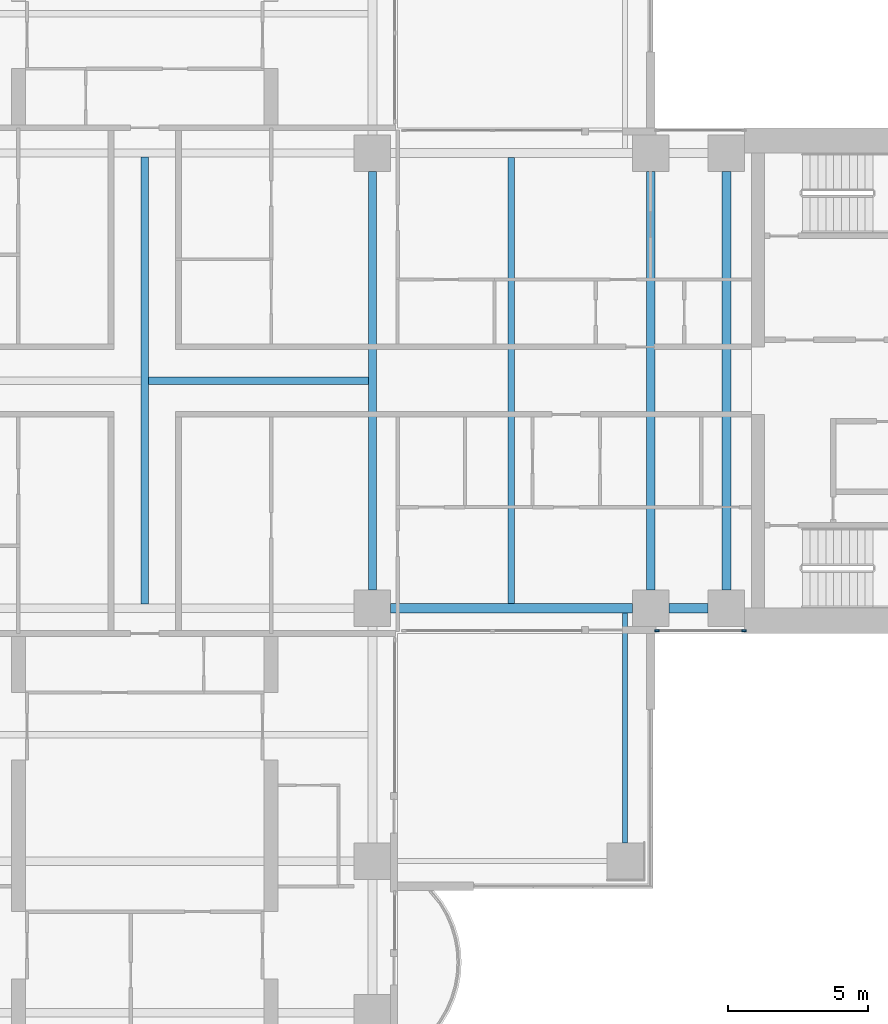
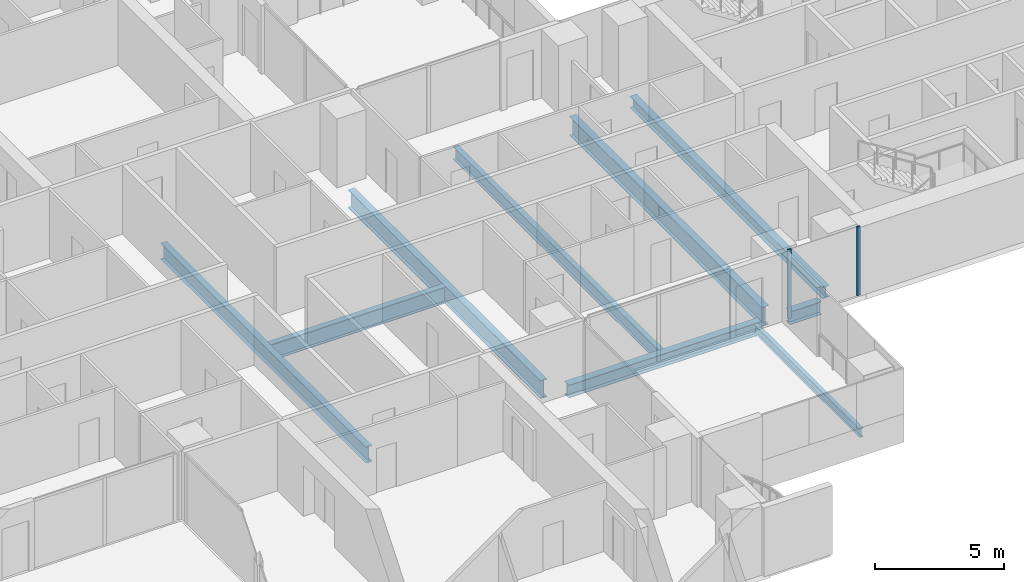
# One storey, part 4 of 20: 9 beams, 2 members, 1 element without a shape of its own.
"""IFC4 building model written with IfcOpenShell, lengths in metres."""

import ifcopenshell
import ifcopenshell.guid

model = None  # the IFC model being written
_history = None  # IfcOwnerHistory: only IFC2X3 demands one
_inside = {}  # id of a spatial element -> (the spatial element, [elements in it])
_under = {}  # id of a project, library or spatial element -> (it, [spatial elements below it])
_declared = {}  # id of a project -> (the project, [libraries it declares])
_typed = {}  # id of a type object -> (the type object, [elements of that type])
_made_of = {}  # id of a material, layer set ... -> (it, [elements and type objects made of it])


def new_model(schema):
    """Start an empty IFC model of exactly this schema.

    Asked for "IFC4X3", IfcOpenShell would pick the latest addendum, in which some entities
    have other attributes; the version numbers below select the first issue.
    IFC2X3 requires an IfcOwnerHistory on every rooted entity: one is made here for all.
    """
    global model, _history
    if schema == "IFC4X3":
        model = ifcopenshell.file(schema_version=(4, 3, 0, 0))
    else:
        model = ifcopenshell.file(schema=schema)
    _inside.clear()
    _under.clear()
    _declared.clear()
    _typed.clear()
    _made_of.clear()
    _history = None
    if model.schema == "IFC2X3":
        org = make("IfcOrganization", Name="unknown")
        user = make(
            "IfcPersonAndOrganization",
            ThePerson=make("IfcPerson", FamilyName="unknown"),
            TheOrganization=org,
        )
        app = make(
            "IfcApplication",
            ApplicationDeveloper=org,
            Version="unknown",
            ApplicationFullName="unknown",
            ApplicationIdentifier="unknown",
        )
        _history = make(
            "IfcOwnerHistory",
            OwningUser=user,
            OwningApplication=app,
            ChangeAction="ADDED",
            CreationDate=0,
        )
    return model


def make(cls, **values):
    """One entity of the class cls with the attributes given. An attribute that is None is left unset."""
    return model.create_entity(
        cls, **{name: value for name, value in values.items() if value is not None}
    )


def rooted(cls, **values):
    """An entity with a GlobalId (a new one), such as an element, a storey or a relation."""
    return make(cls, GlobalId=ifcopenshell.guid.new(), OwnerHistory=_history, **values)


def si_unit(unit_type, name, prefix=None):
    """IfcSIUnit, for example si_unit("LENGTHUNIT", "METRE", prefix="MILLI")."""
    return make("IfcSIUnit", UnitType=unit_type, Prefix=prefix, Name=name)


def assignment(units):
    """IfcUnitAssignment: the units of a project."""
    return None if units is None else make("IfcUnitAssignment", Units=units)


def point(xyz):
    """IfcCartesianPoint."""
    return None if xyz is None else make("IfcCartesianPoint", Coordinates=xyz)


def direction(xyz):
    """IfcDirection."""
    return None if xyz is None else make("IfcDirection", DirectionRatios=xyz)


def frame(location, z_axis=None, x_axis=None):
    """IfcAxis2Placement3D, a coordinate frame: its origin and axes. An axis left out is left unset."""
    return make(
        "IfcAxis2Placement3D",
        Location=point(location),
        Axis=direction(z_axis),
        RefDirection=direction(x_axis),
    )


def frame_2d(location, x_axis=None):
    """IfcAxis2Placement2D, a coordinate frame in the plane: its origin and x axis."""
    return make(
        "IfcAxis2Placement2D", Location=point(location), RefDirection=direction(x_axis)
    )


def origin():
    """The frame at (0, 0, 0) with its axes left unset."""
    return frame((0.0, 0.0, 0.0))


def origin_2d():
    """The frame at (0, 0) in the plane with its x axis left unset."""
    return frame_2d((0.0, 0.0))


def place(relative_to, where):
    """IfcLocalPlacement: puts the frame where relative to a parent placement (None: the world)."""
    return make(
        "IfcLocalPlacement", PlacementRelTo=relative_to, RelativePlacement=where
    )


def context(
    kind, dimensions, precision=None, world=None, true_north=None, identifier=None
):
    """IfcGeometricRepresentationContext, for example the 3D "Model" context."""
    return make(
        "IfcGeometricRepresentationContext",
        ContextIdentifier=identifier,
        ContextType=kind,
        CoordinateSpaceDimension=dimensions,
        Precision=precision,
        WorldCoordinateSystem=world,
        TrueNorth=true_north,
    )


def subcontext(parent, identifier, kind, view, scale=None):
    """IfcGeometricRepresentationSubContext, for example "Body" below "Model"."""
    return make(
        "IfcGeometricRepresentationSubContext",
        ContextIdentifier=identifier,
        ContextType=kind,
        ParentContext=parent,
        TargetScale=scale,
        TargetView=view,
    )


def project(units=None, contexts=None):
    """IfcProject with its units and contexts."""
    return rooted(
        "IfcProject",
        Name="project",
        RepresentationContexts=contexts,
        UnitsInContext=assignment(units),
    )


def spatial(cls, under=None, at=None, **own):
    """A site, building, storey or space (cls), placed at a placement, below another one or the project."""
    s = rooted(cls, ObjectPlacement=at, **own)
    if under is not None:
        _under.setdefault(under.id(), (under, []))[1].append(s)
    return s


def profile(cls, at=None, kind="AREA", **sizes):
    """A parametric profile (cls). Its sizes go by their IFC names, for example OverallWidth=200.0."""
    return make(cls, ProfileType=kind, Position=at, **sizes)


def rectangle(**sizes):
    """IfcRectangleProfileDef."""
    return profile("IfcRectangleProfileDef", **sizes)


def i_section(**sizes):
    """IfcIShapeProfileDef."""
    return profile("IfcIShapeProfileDef", **sizes)


def extrude(swept, where, along, depth):
    """IfcExtrudedAreaSolid: the profile swept, set in the frame where, extruded along a direction by depth."""
    return make(
        "IfcExtrudedAreaSolid",
        SweptArea=swept,
        Position=where,
        ExtrudedDirection=direction(along),
        Depth=depth,
    )


def shape(context_of_items, identifier, shape_type, items):
    """IfcShapeRepresentation: the items that make up one representation, for example the "Body"."""
    return make(
        "IfcShapeRepresentation",
        ContextOfItems=context_of_items,
        RepresentationIdentifier=identifier,
        RepresentationType=shape_type,
        Items=items,
    )


def material(Name=None, Category=None):
    """IfcMaterial."""
    return make("IfcMaterial", Name=Name, Category=Category)


def material_profile(
    of_material, cross_section, Name=None, Category=None, Priority=None
):
    """IfcMaterialProfile: a cross section and its material."""
    return make(
        "IfcMaterialProfile",
        Name=Name,
        Material=of_material,
        Profile=cross_section,
        Priority=Priority,
        Category=Category,
    )


def profile_set(profiles, Name=None, composite=None):
    """IfcMaterialProfileSet."""
    return make(
        "IfcMaterialProfileSet",
        Name=Name,
        MaterialProfiles=profiles,
        CompositeProfile=composite,
    )


def made_of(thing, what):
    """Note that an element or type object is made of a material, layer set ...; save() writes the relation."""
    if what is not None:
        _made_of.setdefault(what.id(), (what, []))[1].append(thing)
    return thing


def type_object(cls, material=None, **own):
    """A type object (cls), such as IfcWallType, which elements share."""
    return made_of(rooted(cls, **own), material)


def element(
    cls,
    number,
    at=None,
    inside=None,
    cuts=None,
    type_object=None,
    material=None,
    context=None,
    identifier="Body",
    shape_type=None,
    held_by="IfcProductDefinitionShape",
    body=None,
    shapes=None,
    **own,
):
    """One element of the class cls, such as IfcWall. Its Tag is "e" and its number.

    at: its placement. inside: the storey or other place that contains it. cuts: it is an
    opening in that element (IfcRelVoidsElement). A single representation is given by context,
    identifier, shape_type and body (its items); several are given by shapes. held_by: the class
    of the entity that holds the representations. save() writes the other relations.
    """
    e = rooted(cls, Tag="e%d" % number, ObjectPlacement=at, **own)
    if body is not None:
        shapes = [shape(context, identifier, shape_type, body)]
    if shapes is not None:
        e.Representation = make(held_by, Representations=shapes)
    if inside is not None:
        _inside.setdefault(inside.id(), (inside, []))[1].append(e)
    if cuts is not None:
        rooted(
            "IfcRelVoidsElement", RelatingBuildingElement=cuts, RelatedOpeningElement=e
        )
    if type_object is not None:
        _typed.setdefault(type_object.id(), (type_object, []))[1].append(e)
    return made_of(e, material)


def aggregate(whole, parts):
    """IfcRelAggregates: a whole, such as a stair, and the parts it consists of."""
    return rooted("IfcRelAggregates", RelatingObject=whole, RelatedObjects=parts)


def save(model, path):
    """Write the relations noted so far, then the file.

    IfcRelAggregates (storeys below a building ...), IfcRelContainedInSpatialStructure (elements
    in a storey), IfcRelDefinesByType, IfcRelAssociatesMaterial and IfcRelDeclares: one each for
    every whole, place, type object, material and project.
    """
    for whole, parts in _under.values():
        aggregate(whole, parts)
    for where, things in _inside.values():
        rooted(
            "IfcRelContainedInSpatialStructure",
            RelatedElements=things,
            RelatingStructure=where,
        )
    for kind, things in _typed.values():
        rooted("IfcRelDefinesByType", RelatedObjects=things, RelatingType=kind)
    for what, things in _made_of.values():
        rooted("IfcRelAssociatesMaterial", RelatedObjects=things, RelatingMaterial=what)
    for by, libraries in _declared.values():
        rooted("IfcRelDeclares", RelatingContext=by, RelatedDefinitions=libraries)
    model.write(path)


model = new_model("IFC4")

# Units and contexts
model_context = context("Model", 3, precision=1e-05, world=origin(), true_north=direction((0.0, 1.0)))
body_context = subcontext(model_context, "Body", "Model", "MODEL_VIEW")
ifc_project = project(units=[si_unit("LENGTHUNIT", "METRE"), si_unit("AREAUNIT", "SQUARE_METRE"), si_unit("VOLUMEUNIT", "CUBIC_METRE"), si_unit("PLANEANGLEUNIT", "RADIAN"), si_unit("MASSUNIT", "GRAM", prefix="KILO")], contexts=[model_context])

# Site, building, storey
site_placement = place(None, origin())
site = spatial("IfcSite", under=ifc_project, at=site_placement, CompositionType="ELEMENT")
building_placement = place(site_placement, origin())
building = spatial("IfcBuilding", under=site, at=building_placement, Name="Perihelion Cross Residences", CompositionType="ELEMENT")
storey_placement = place(building_placement, frame((0.0, 0.0, 71.5)))
storey = spatial("IfcBuildingStorey", under=building, at=storey_placement, Name="L15", CompositionType="ELEMENT", Elevation=71.5)

# Curtain wall, members
ifc_material_1 = material(Name="Bronze anodised aluminium, tinted glazing", Category="aluminium")
curtain_wall_type = type_object("IfcCurtainWallType", Name="CW1", PredefinedType="NOTDEFINED", material=ifc_material_1)
curtain_wall_placement = place(storey_placement, origin())
curtain_wall = element("IfcCurtainWall", 1, at=curtain_wall_placement, inside=storey, type_object=curtain_wall_type, Name="Curtain wall CW1 L15 east side south bay 2", PredefinedType="NOTDEFINED")
ifc_material_2 = material(Name="Bronze anodised aluminium", Category="aluminium")
ifc_material_profile_1 = material_profile(ifc_material_2, rectangle(XDim=0.06005859375, YDim=0.159912109375, at=origin_2d()), Name="CW1 mullion")
ifc_profile_set_1 = profile_set([ifc_material_profile_1], Name="Bronze anodised aluminium")
member_type = type_object("IfcMemberType", Name="CW1 mullion", PredefinedType="MULLION", material=ifc_profile_set_1)
member_1_placement = place(storey_placement, frame((18.22998046875, -8.89990234375, 0.0), z_axis=(0.0, 0.0, 1.0), x_axis=(0.0, 1.0, 0.0)))
member_1 = element("IfcMember", 2, at=member_1_placement, type_object=member_type, Name="CW1 mullion 1", PredefinedType="MULLION", context=body_context, shape_type="SweptSolid", body=[
    extrude(rectangle(XDim=0.06005859375, YDim=0.159912109375, at=origin_2d()), origin(), (0.0, 0.0, 1.0), 3.25),
])
member_2_placement = place(storey_placement, frame((21.320068359375, -8.89990234375, 0.0), z_axis=(0.0, 0.0, 1.0), x_axis=(0.0, 1.0, 0.0)))
member_2 = element("IfcMember", 3, at=member_2_placement, type_object=member_type, Name="CW1 mullion 2", PredefinedType="MULLION", context=body_context, shape_type="SweptSolid", body=[
    extrude(rectangle(XDim=0.06005859375, YDim=0.159912109375, at=origin_2d()), origin(), (0.0, 0.0, 1.0), 3.25),
])
aggregate(curtain_wall, [member_1, member_2])

# Beams
ifc_material_3 = material(Name="Steel S355", Category="steel")
ifc_material_profile_2 = material_profile(ifc_material_3, i_section(OverallWidth=0.177978515625, OverallDepth=0.406005859375, WebThickness=0.0078125, FlangeThickness=0.0126953125, at=origin_2d()), Name="W410x60")
ifc_profile_set_2 = profile_set([ifc_material_profile_2], Name="Steel S355")
beam_type_1 = type_object("IfcBeamType", Name="Core edge beam W410x60", PredefinedType="BEAM", material=ifc_profile_set_2)
beam_1_placement = place(storey_placement, frame((17.10009765625, -8.262451171875, -0.452880859375), z_axis=(0.0, -1.0, 0.0), x_axis=(1.0, 0.0, 0.0)))
element("IfcBeam", 4, at=beam_1_placement, inside=storey, type_object=beam_type_1, Name="Core edge beam TB2 L15 corner no. 5", PredefinedType="BEAM", context=body_context, shape_type="SweptSolid", body=[
    extrude(i_section(OverallWidth=0.177978515625, OverallDepth=0.406005859375, WebThickness=0.0078125, FlangeThickness=0.0126953125, at=origin_2d()), origin(), (0.0, 0.0, 1.0), 8.1875),
])
ifc_material_4 = material(Name="Steel S355", Category="steel")
ifc_material_profile_3 = material_profile(ifc_material_4, i_section(OverallWidth=0.31201171875, OverallDepth=0.5439453125, WebThickness=0.0126953125, FlangeThickness=0.020263671875, at=origin_2d()), Name="W530x150")
ifc_profile_set_3 = profile_set([ifc_material_profile_3], Name="Steel S355")
beam_type_2 = type_object("IfcBeamType", Name="Core edge beam W530x150", PredefinedType="BEAM", material=ifc_profile_set_3)
beam_2_placement = place(storey_placement, frame((20.699951171875, -7.449951171875, -0.52197265625), z_axis=(0.0, 1.0, 0.0), x_axis=(-1.0, 0.0, 0.0)))
element("IfcBeam", 5, at=beam_2_placement, inside=storey, type_object=beam_type_2, Name="Core edge beam TB4 L15 no. 2", PredefinedType="BEAM", context=body_context, shape_type="SweptSolid", body=[
    extrude(i_section(OverallWidth=0.31201171875, OverallDepth=0.5439453125, WebThickness=0.0126953125, FlangeThickness=0.020263671875, at=origin_2d()), origin(), (0.0, 0.0, 1.0), 14.89990234375),
])
ifc_material_5 = material(Name="Steel S355", Category="steel")
ifc_material_profile_4 = material_profile(ifc_material_5, i_section(OverallWidth=0.324951171875, OverallDepth=0.616943359375, WebThickness=0.013916015625, FlangeThickness=0.021484375, at=origin_2d()), Name="W610x174")
ifc_profile_set_4 = profile_set([ifc_material_profile_4], Name="Steel S355")
beam_type_3 = type_object("IfcBeamType", Name="Edge beam W610x174", PredefinedType="SPANDREL", material=ifc_profile_set_4)
beam_3_placement = place(storey_placement, frame((8.75, -8.10009765625, -0.55859375), z_axis=(1.0, 0.0, 0.0), x_axis=(0.0, 1.0, 0.0)))
element("IfcBeam", 6, at=beam_3_placement, inside=storey, type_object=beam_type_3, Name="Edge beam SB2 L15 no. 18", PredefinedType="SPANDREL", context=body_context, shape_type="SweptSolid", body=[
    extrude(i_section(OverallWidth=0.324951171875, OverallDepth=0.616943359375, WebThickness=0.013916015625, FlangeThickness=0.021484375, at=origin_2d()), origin(), (0.0, 0.0, 1.0), 8.60009765625),
])
beam_4_placement = place(storey_placement, frame((18.64990234375, -8.10009765625, -0.55859375), z_axis=(1.0, 0.0, 0.0), x_axis=(0.0, 1.0, 0.0)))
element("IfcBeam", 7, at=beam_4_placement, inside=storey, type_object=beam_type_3, Name="Edge beam SB2 L15 no. 12", PredefinedType="SPANDREL", context=body_context, shape_type="SweptSolid", body=[
    extrude(i_section(OverallWidth=0.324951171875, OverallDepth=0.616943359375, WebThickness=0.013916015625, FlangeThickness=0.021484375, at=origin_2d()), origin(), (0.0, 0.0, 1.0), 1.400146484375),
])
ifc_material_6 = material(Name="Steel S355", Category="steel")
ifc_material_profile_5 = material_profile(ifc_material_6, i_section(OverallWidth=0.304931640625, OverallDepth=0.904052734375, WebThickness=0.01513671875, FlangeThickness=0.02001953125, at=origin_2d()), Name="W920x201")
ifc_profile_set_5 = profile_set([ifc_material_profile_5], Name="Steel S355")
beam_type_4 = type_object("IfcBeamType", Name="Floor girder W920x201", PredefinedType="BEAM", material=ifc_profile_set_5)
beam_5_placement = place(storey_placement, frame((18.0, -7.449951171875, -0.701904296875), z_axis=(0.0, 1.0, 0.0), x_axis=(-1.0, 0.0, 0.0)))
element("IfcBeam", 8, at=beam_5_placement, inside=storey, type_object=beam_type_4, Name="Girder G2 L15 no. 2", PredefinedType="BEAM", context=body_context, shape_type="SweptSolid", body=[
    extrude(i_section(OverallWidth=0.304931640625, OverallDepth=0.904052734375, WebThickness=0.01513671875, FlangeThickness=0.02001953125, at=origin_2d()), origin(), (0.0, 0.0, 1.0), 14.89990234375),
])
ifc_material_7 = material(Name="Steel S355", Category="steel")
ifc_material_profile_6 = material_profile(ifc_material_7, i_section(OverallWidth=0.22900390625, OverallDepth=0.612060546875, WebThickness=0.011962890625, FlangeThickness=0.01953125, at=origin_2d()), Name="W610x125")
ifc_profile_set_6 = profile_set([ifc_material_profile_6], Name="Steel S355")
beam_type_5 = type_object("IfcBeamType", Name="Floor joist W610x125", PredefinedType="JOIST", material=ifc_profile_set_6)
beam_6_placement = place(storey_placement, frame((13.050048828125, -7.9375, -0.555908203125), z_axis=(0.0, 1.0, 0.0), x_axis=(-1.0, 0.0, 0.0)))
element("IfcBeam", 9, at=beam_6_placement, inside=storey, type_object=beam_type_5, Name="Joist J3 L15 no. 2", PredefinedType="JOIST", context=body_context, shape_type="SweptSolid", body=[
    extrude(i_section(OverallWidth=0.22900390625, OverallDepth=0.612060546875, WebThickness=0.011962890625, FlangeThickness=0.01953125, at=origin_2d()), origin(), (0.0, 0.0, 1.0), 15.875),
])
ifc_material_8 = material(Name="Steel S355", Category="steel")
ifc_material_profile_7 = material_profile(ifc_material_8, i_section(OverallWidth=0.26708984375, OverallDepth=0.77001953125, WebThickness=0.015625, FlangeThickness=0.025390625, at=origin_2d()), Name="W760x196")
ifc_profile_set_7 = profile_set([ifc_material_profile_7], Name="Steel S355")
beam_type_6 = type_object("IfcBeamType", Name="Hub cross beam W760x196", PredefinedType="BEAM", material=ifc_profile_set_7)
beam_7_placement = place(storey_placement, frame((0.0, -7.9541015625, -0.635009765625), z_axis=(0.0, 1.0, 0.0), x_axis=(-1.0, 0.0, 0.0)))
element("IfcBeam", 10, at=beam_7_placement, inside=storey, type_object=beam_type_6, Name="Hub cross beam XB2 L15 no. 1", PredefinedType="BEAM", context=body_context, shape_type="SweptSolid", body=[
    extrude(i_section(OverallWidth=0.26708984375, OverallDepth=0.77001953125, WebThickness=0.015625, FlangeThickness=0.025390625, at=origin_2d()), origin(), (0.0, 0.0, 1.0), 15.908203125),
])
beam_8_placement = place(storey_placement, frame((0.133544921875, 0.0, -0.635009765625), z_axis=(1.0, 0.0, 0.0), x_axis=(0.0, 1.0, 0.0)))
element("IfcBeam", 11, at=beam_8_placement, inside=storey, type_object=beam_type_6, Name="Hub cross beam XB2 L15 2 no. 1", PredefinedType="BEAM", context=body_context, shape_type="SweptSolid", body=[
    extrude(i_section(OverallWidth=0.26708984375, OverallDepth=0.77001953125, WebThickness=0.015625, FlangeThickness=0.025390625, at=origin_2d()), origin(), (0.0, 0.0, 1.0), 7.820556640625),
])
ifc_material_9 = material(Name="Steel S355", Category="steel")
ifc_material_profile_8 = material_profile(ifc_material_9, i_section(OverallWidth=0.2919921875, OverallDepth=0.85888671875, WebThickness=0.01708984375, FlangeThickness=0.031005859375, at=origin_2d()), Name="W840x251")
ifc_profile_set_8 = profile_set([ifc_material_profile_8], Name="Steel S355")
beam_type_7 = type_object("IfcBeamType", Name="Hub ring girder W840x251", PredefinedType="BEAM", material=ifc_profile_set_8)
beam_9_placement = place(storey_placement, frame((8.10009765625, -7.449951171875, -0.679443359375), z_axis=(0.0, 1.0, 0.0), x_axis=(-1.0, 0.0, 0.0)))
element("IfcBeam", 12, at=beam_9_placement, inside=storey, type_object=beam_type_7, Name="Hub ring girder RG2 L15 no. 3", PredefinedType="BEAM", context=body_context, shape_type="SweptSolid", body=[
    extrude(i_section(OverallWidth=0.2919921875, OverallDepth=0.85888671875, WebThickness=0.01708984375, FlangeThickness=0.031005859375, at=origin_2d()), origin(), (0.0, 0.0, 1.0), 14.89990234375),
])

save(model, "model.ifc")
